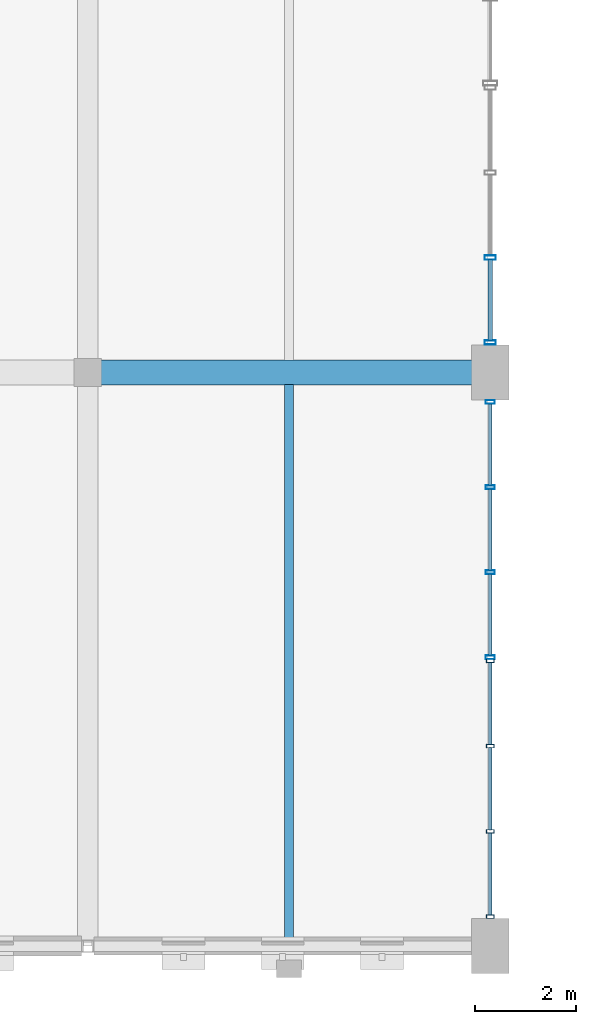
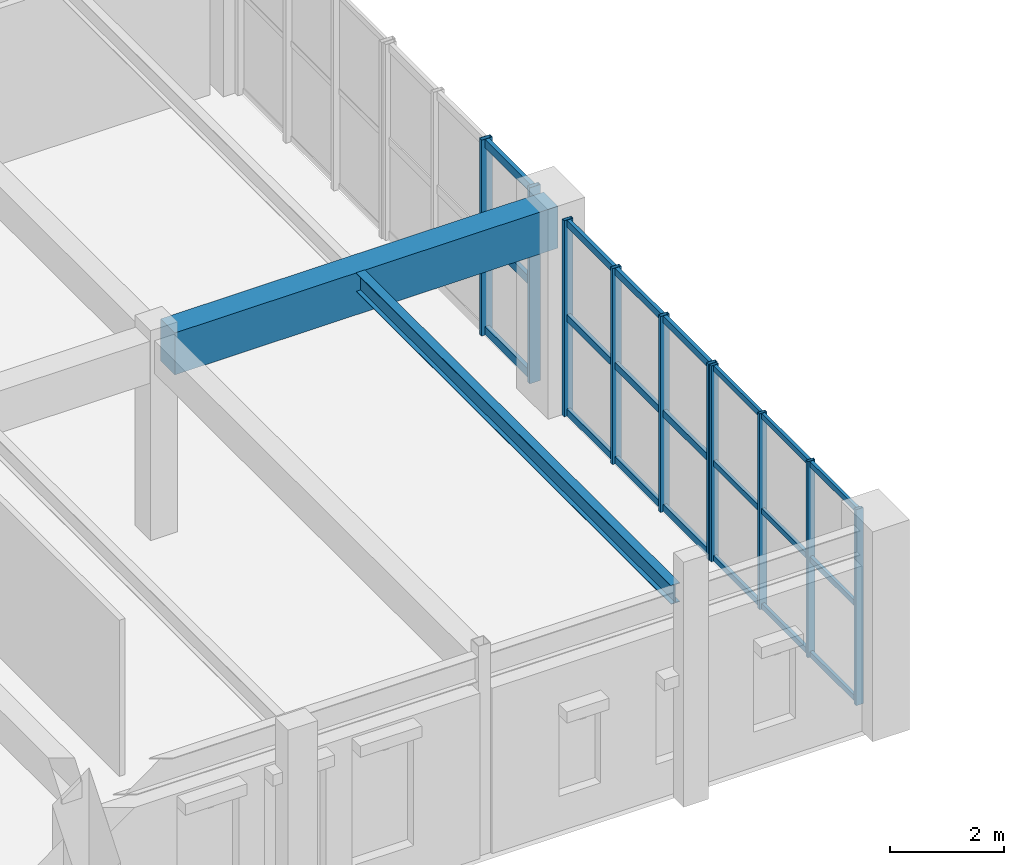
# One storey, part 6 of 48: 31 members, 2 beams, 3 elements without a shape of their own.
"""IFC4 building model written with IfcOpenShell, lengths in metres."""

from ifc_helpers import new_model, si_unit, direction, frame, origin, origin_2d, place, context, subcontext, project, spatial, rectangle, hollow_rectangle, i_section, extrude, material, layer, layer_set, material_profile, profile_set, type_object, element, aggregate, save


model = new_model("IFC4")

# Units and contexts
model_context = context("Model", 3, precision=1e-05, world=origin(), true_north=direction((0.0, 1.0)))
body_context = subcontext(model_context, "Body", "Model", "MODEL_VIEW")
ifc_project = project(units=[si_unit("LENGTHUNIT", "METRE"), si_unit("AREAUNIT", "SQUARE_METRE"), si_unit("VOLUMEUNIT", "CUBIC_METRE"), si_unit("PLANEANGLEUNIT", "RADIAN"), si_unit("MASSUNIT", "GRAM", prefix="KILO"), si_unit("POWERUNIT", "WATT"), si_unit("THERMODYNAMICTEMPERATUREUNIT", "KELVIN")], contexts=[model_context])

# Site, building, storey
site_placement = place(None, origin())
site = spatial("IfcSite", under=ifc_project, at=site_placement, CompositionType="ELEMENT")
building_placement = place(site_placement, origin())
building = spatial("IfcBuilding", under=site, at=building_placement, Name="Kelmbourne Parkland Aquatics Centre", CompositionType="ELEMENT")
storey_placement = place(building_placement, frame((0.0, 0.0, 14.699951171875)))
storey = spatial("IfcBuildingStorey", under=building, at=storey_placement, Name="L03", CompositionType="ELEMENT", Elevation=14.699951171875)

# Beams
ifc_material_1 = material(Name="Concrete C40/50", Category="concrete")
ifc_material_profile_1 = material_profile(ifc_material_1, rectangle(XDim=0.5, YDim=0.89990234375, at=origin_2d()), Name="RC 500x900")
ifc_profile_set_1 = profile_set([ifc_material_profile_1], Name="Concrete C40/50")
beam_type_1 = type_object("IfcBeamType", Name="BM-G03", PredefinedType="BEAM", material=ifc_profile_set_1)
beam_1_placement = place(storey_placement, frame((32.22998046875, 12.199951171875, 3.81005859375), z_axis=(1.0, 0.0, 0.0), x_axis=(0.0, 1.0, 0.0)))
element("IfcBeam", 1, at=beam_1_placement, inside=storey, type_object=beam_type_1, Name="Primary girder E-F Grid 03 (L04)", PredefinedType="BEAM", context=body_context, shape_type="SweptSolid", body=[
    extrude(rectangle(XDim=0.5, YDim=0.89990234375, at=origin_2d()), origin(), (0.0, 0.0, 1.0), 7.77001953125),
])
ifc_material_2 = material(Name="Structural steel AS/NZS 3679.1 Grade 300", Category="steel")
ifc_material_profile_2 = material_profile(ifc_material_2, i_section(OverallWidth=0.177978515625, OverallDepth=0.406005859375, WebThickness=0.0078125, FlangeThickness=0.0126953125, at=origin_2d()), Name="410UB59.7")
ifc_profile_set_2 = profile_set([ifc_material_profile_2], Name="Structural steel AS/NZS 3679.1 Grade 300")
beam_type_2 = type_object("IfcBeamType", Name="BM-J01", PredefinedType="JOIST", material=ifc_profile_set_2)
beam_2_placement = place(storey_placement, frame((36.0, 0.896484375, 4.05712890625), z_axis=(0.0, 1.0, 0.0), x_axis=(-1.0, 0.0, 0.0)))
element("IfcBeam", 2, at=beam_2_placement, inside=storey, type_object=beam_type_2, Name="Secondary floor joist E-F/01-03 #1 (L04)", PredefinedType="JOIST", context=body_context, shape_type="SweptSolid", body=[
    extrude(i_section(OverallWidth=0.177978515625, OverallDepth=0.406005859375, WebThickness=0.0078125, FlangeThickness=0.0126953125, at=origin_2d()), origin(), (0.0, 0.0, 1.0), 11.0615234375),
])

# Curtain wall, members
ifc_material_3 = material(Name="Thermally broken anodised aluminium framing", Category="aluminium")
ifc_layer_1 = layer(ifc_material_3, 0.179931640625)
ifc_layer_set_1 = layer_set([ifc_layer_1], Name="Thermally broken anodised aluminium framing")
curtain_wall_type_1 = type_object("IfcCurtainWallType", Name="CW-15", PredefinedType="NOTDEFINED", material=ifc_layer_set_1)
curtain_wall_1_placement = place(storey_placement, origin())
curtain_wall_1 = element("IfcCurtainWall", 3, at=curtain_wall_1_placement, inside=storey, type_object=curtain_wall_type_1, Name="Facade curtain wall CW-L03-255", PredefinedType="NOTDEFINED")
ifc_material_profile_3 = material_profile(ifc_material_3, hollow_rectangle(XDim=0.06494140625, YDim=0.14990234375, WallThickness=0.00390625, at=origin_2d()), Name="CW-M 65x150")
ifc_profile_set_3 = profile_set([ifc_material_profile_3], Name="Thermally broken anodised aluminium framing")
member_type_1 = type_object("IfcMemberType", Name="MB-MUL-1", PredefinedType="MULLION", material=ifc_profile_set_3)
member_1_placement = place(storey_placement, frame((40.0, 1.384521484375, 0.0), z_axis=(0.0, 0.0, 1.0), x_axis=(0.0, 1.0, 0.0)))
member_1 = element("IfcMember", 4, at=member_1_placement, type_object=member_type_1, Name="CW-L03-255 mullion 0", PredefinedType="MULLION", context=body_context, shape_type="SweptSolid", body=[
    extrude(hollow_rectangle(XDim=0.06494140625, YDim=0.14990234375, WallThickness=0.00390625, at=origin_2d()), origin(), (0.0, 0.0, 1.0), 4.199951171875),
])
member_2_placement = place(storey_placement, frame((40.0, 3.078857421875, 0.0), z_axis=(0.0, 0.0, 1.0), x_axis=(0.0, 1.0, 0.0)))
member_2 = element("IfcMember", 5, at=member_2_placement, type_object=member_type_1, Name="CW-L03-255 mullion 1", PredefinedType="MULLION", context=body_context, shape_type="SweptSolid", body=[
    extrude(hollow_rectangle(XDim=0.06494140625, YDim=0.14990234375, WallThickness=0.00390625, at=origin_2d()), origin(), (0.0, 0.0, 1.0), 4.199951171875),
])
member_3_placement = place(storey_placement, frame((40.0, 4.773193359375, 0.0), z_axis=(0.0, 0.0, 1.0), x_axis=(0.0, 1.0, 0.0)))
member_3 = element("IfcMember", 6, at=member_3_placement, type_object=member_type_1, Name="CW-L03-255 mullion 2", PredefinedType="MULLION", context=body_context, shape_type="SweptSolid", body=[
    extrude(hollow_rectangle(XDim=0.06494140625, YDim=0.14990234375, WallThickness=0.00390625, at=origin_2d()), origin(), (0.0, 0.0, 1.0), 4.199951171875),
])
member_4_placement = place(storey_placement, frame((40.0, 6.467529296875, 0.0), z_axis=(0.0, 0.0, 1.0), x_axis=(0.0, 1.0, 0.0)))
member_4 = element("IfcMember", 7, at=member_4_placement, type_object=member_type_1, Name="CW-L03-255 mullion 3", PredefinedType="MULLION", context=body_context, shape_type="SweptSolid", body=[
    extrude(hollow_rectangle(XDim=0.06494140625, YDim=0.14990234375, WallThickness=0.00390625, at=origin_2d()), origin(), (0.0, 0.0, 1.0), 4.199951171875),
])

ifc_layer_2 = layer(ifc_material_3, 0.179931640625)
ifc_layer_set_2 = layer_set([ifc_layer_2], Name="Thermally broken anodised aluminium framing")
curtain_wall_type_2 = type_object("IfcCurtainWallType", Name="CW-16", PredefinedType="NOTDEFINED", material=ifc_layer_set_2)
curtain_wall_2_placement = place(storey_placement, origin())
curtain_wall_2 = element("IfcCurtainWall", 8, at=curtain_wall_2_placement, inside=storey, type_object=curtain_wall_type_2, Name="Facade curtain wall CW-L03-256", PredefinedType="NOTDEFINED")
ifc_material_profile_4 = material_profile(ifc_material_3, hollow_rectangle(XDim=0.074951171875, YDim=0.179931640625, WallThickness=0.00439453125, at=origin_2d()), Name="CW-M 75x180")
ifc_profile_set_4 = profile_set([ifc_material_profile_4], Name="Thermally broken anodised aluminium framing")
member_type_2 = type_object("IfcMemberType", Name="MB-MUL-2", PredefinedType="MULLION", material=ifc_profile_set_4)
member_5_placement = place(storey_placement, frame((40.0, 6.53759765625, 0.0), z_axis=(0.0, 0.0, 1.0), x_axis=(0.0, 1.0, 0.0)))
member_5 = element("IfcMember", 9, at=member_5_placement, type_object=member_type_2, Name="CW-L03-256 mullion 0", PredefinedType="MULLION", context=body_context, shape_type="SweptSolid", body=[
    extrude(hollow_rectangle(XDim=0.074951171875, YDim=0.179931640625, WallThickness=0.00439453125, at=origin_2d()), origin(), (0.0, 0.0, 1.0), 4.199951171875),
])
member_6_placement = place(storey_placement, frame((40.0, 8.228515625, 0.0), z_axis=(0.0, 0.0, 1.0), x_axis=(0.0, 1.0, 0.0)))
member_6 = element("IfcMember", 10, at=member_6_placement, type_object=member_type_2, Name="CW-L03-256 mullion 1", PredefinedType="MULLION", context=body_context, shape_type="SweptSolid", body=[
    extrude(hollow_rectangle(XDim=0.074951171875, YDim=0.179931640625, WallThickness=0.00439453125, at=origin_2d()), origin(), (0.0, 0.0, 1.0), 4.199951171875),
])
member_7_placement = place(storey_placement, frame((40.0, 9.91943359375, 0.0), z_axis=(0.0, 0.0, 1.0), x_axis=(0.0, 1.0, 0.0)))
member_7 = element("IfcMember", 11, at=member_7_placement, type_object=member_type_2, Name="CW-L03-256 mullion 2", PredefinedType="MULLION", context=body_context, shape_type="SweptSolid", body=[
    extrude(hollow_rectangle(XDim=0.074951171875, YDim=0.179931640625, WallThickness=0.00439453125, at=origin_2d()), origin(), (0.0, 0.0, 1.0), 4.199951171875),
])
member_8_placement = place(storey_placement, frame((40.0, 11.610595703125, 0.0), z_axis=(0.0, 0.0, 1.0), x_axis=(0.0, 1.0, 0.0)))
member_8 = element("IfcMember", 12, at=member_8_placement, type_object=member_type_2, Name="CW-L03-256 mullion 3", PredefinedType="MULLION", context=body_context, shape_type="SweptSolid", body=[
    extrude(hollow_rectangle(XDim=0.074951171875, YDim=0.179931640625, WallThickness=0.00439453125, at=origin_2d()), origin(), (0.0, 0.0, 1.0), 4.199951171875),
])

ifc_layer_3 = layer(ifc_material_3, 0.179931640625)
ifc_layer_set_3 = layer_set([ifc_layer_3], Name="Thermally broken anodised aluminium framing")
curtain_wall_type_3 = type_object("IfcCurtainWallType", Name="CW-17", PredefinedType="NOTDEFINED", material=ifc_layer_set_3)
curtain_wall_3_placement = place(storey_placement, origin())
curtain_wall_3 = element("IfcCurtainWall", 13, at=curtain_wall_3_placement, inside=storey, type_object=curtain_wall_type_3, Name="Facade curtain wall CW-L03-257", PredefinedType="NOTDEFINED")
ifc_material_profile_5 = material_profile(ifc_material_3, hollow_rectangle(XDim=0.0849609375, YDim=0.219970703125, WallThickness=0.0048828125, at=origin_2d()), Name="CW-M 85x220")
ifc_profile_set_5 = profile_set([ifc_material_profile_5], Name="Thermally broken anodised aluminium framing")
member_type_3 = type_object("IfcMemberType", Name="MB-MUL-3", PredefinedType="MULLION", material=ifc_profile_set_5)
member_9_placement = place(storey_placement, frame((40.0, 12.79443359375, 0.0), z_axis=(0.0, 0.0, 1.0), x_axis=(0.0, 1.0, 0.0)))
member_9 = element("IfcMember", 14, at=member_9_placement, type_object=member_type_3, Name="CW-L03-257 mullion 0", PredefinedType="MULLION", context=body_context, shape_type="SweptSolid", body=[
    extrude(hollow_rectangle(XDim=0.0849609375, YDim=0.219970703125, WallThickness=0.0048828125, at=origin_2d()), origin(), (0.0, 0.0, 1.0), 4.199951171875),
])
member_10_placement = place(storey_placement, frame((40.0, 14.482177734375, 0.0), z_axis=(0.0, 0.0, 1.0), x_axis=(0.0, 1.0, 0.0)))
member_10 = element("IfcMember", 15, at=member_10_placement, type_object=member_type_3, Name="CW-L03-257 mullion 1", PredefinedType="MULLION", context=body_context, shape_type="SweptSolid", body=[
    extrude(hollow_rectangle(XDim=0.0849609375, YDim=0.219970703125, WallThickness=0.0048828125, at=origin_2d()), origin(), (0.0, 0.0, 1.0), 4.199951171875),
])

# Member
ifc_material_profile_6 = material_profile(ifc_material_3, hollow_rectangle(XDim=0.06494140625, YDim=0.1201171875, WallThickness=0.00341796875, at=origin_2d()), Name="CW-T 65x120")
ifc_profile_set_6 = profile_set([ifc_material_profile_6], Name="Thermally broken anodised aluminium framing")
member_type_4 = type_object("IfcMemberType", Name="MB-TRN-1", PredefinedType="USERDEFINED", material=ifc_profile_set_6)
member_11_placement = place(storey_placement, frame((40.0, 1.4130859375, 0.06298828125), z_axis=(0.0, 1.0, 0.0), x_axis=(-1.0, 0.0, 0.0)))
member_11 = element("IfcMember", 16, at=member_11_placement, type_object=member_type_4, Name="CW-L03-255 transom 0-0", ObjectType="TRANSOM", PredefinedType="USERDEFINED", context=body_context, shape_type="SweptSolid", body=[
    extrude(hollow_rectangle(XDim=0.06494140625, YDim=0.1201171875, WallThickness=0.00341796875, at=origin_2d()), origin(), (0.0, 0.0, 1.0), 1.63720703125),
])

member_12_placement = place(storey_placement, frame((40.0, 3.107421875, 0.06298828125), z_axis=(0.0, 1.0, 0.0), x_axis=(-1.0, 0.0, 0.0)))
member_12 = element("IfcMember", 17, at=member_12_placement, type_object=member_type_4, Name="CW-L03-255 transom 0-1", ObjectType="TRANSOM", PredefinedType="USERDEFINED", context=body_context, shape_type="SweptSolid", body=[
    extrude(hollow_rectangle(XDim=0.06494140625, YDim=0.1201171875, WallThickness=0.00341796875, at=origin_2d()), origin(), (0.0, 0.0, 1.0), 1.63720703125),
])

member_13_placement = place(storey_placement, frame((40.0, 4.8017578125, 0.06298828125), z_axis=(0.0, 1.0, 0.0), x_axis=(-1.0, 0.0, 0.0)))
member_13 = element("IfcMember", 18, at=member_13_placement, type_object=member_type_4, Name="CW-L03-255 transom 0-2", ObjectType="TRANSOM", PredefinedType="USERDEFINED", context=body_context, shape_type="SweptSolid", body=[
    extrude(hollow_rectangle(XDim=0.06494140625, YDim=0.1201171875, WallThickness=0.00341796875, at=origin_2d()), origin(), (0.0, 0.0, 1.0), 1.63720703125),
])

member_14_placement = place(storey_placement, frame((40.0, 1.4130859375, 2.10009765625), z_axis=(0.0, 1.0, 0.0), x_axis=(-1.0, 0.0, 0.0)))
member_14 = element("IfcMember", 19, at=member_14_placement, type_object=member_type_4, Name="CW-L03-255 transom 1-0", ObjectType="TRANSOM", PredefinedType="USERDEFINED", context=body_context, shape_type="SweptSolid", body=[
    extrude(hollow_rectangle(XDim=0.06494140625, YDim=0.1201171875, WallThickness=0.00341796875, at=origin_2d()), origin(), (0.0, 0.0, 1.0), 1.63720703125),
])

member_15_placement = place(storey_placement, frame((40.0, 3.107421875, 2.10009765625), z_axis=(0.0, 1.0, 0.0), x_axis=(-1.0, 0.0, 0.0)))
member_15 = element("IfcMember", 20, at=member_15_placement, type_object=member_type_4, Name="CW-L03-255 transom 1-1", ObjectType="TRANSOM", PredefinedType="USERDEFINED", context=body_context, shape_type="SweptSolid", body=[
    extrude(hollow_rectangle(XDim=0.06494140625, YDim=0.1201171875, WallThickness=0.00341796875, at=origin_2d()), origin(), (0.0, 0.0, 1.0), 1.63720703125),
])

member_16_placement = place(storey_placement, frame((40.0, 4.8017578125, 2.10009765625), z_axis=(0.0, 1.0, 0.0), x_axis=(-1.0, 0.0, 0.0)))
member_16 = element("IfcMember", 21, at=member_16_placement, type_object=member_type_4, Name="CW-L03-255 transom 1-2", ObjectType="TRANSOM", PredefinedType="USERDEFINED", context=body_context, shape_type="SweptSolid", body=[
    extrude(hollow_rectangle(XDim=0.06494140625, YDim=0.1201171875, WallThickness=0.00341796875, at=origin_2d()), origin(), (0.0, 0.0, 1.0), 1.63720703125),
])

member_17_placement = place(storey_placement, frame((40.0, 1.4130859375, 4.136962890625), z_axis=(0.0, 1.0, 0.0), x_axis=(-1.0, 0.0, 0.0)))
member_17 = element("IfcMember", 22, at=member_17_placement, type_object=member_type_4, Name="CW-L03-255 transom 2-0", ObjectType="TRANSOM", PredefinedType="USERDEFINED", context=body_context, shape_type="SweptSolid", body=[
    extrude(hollow_rectangle(XDim=0.06494140625, YDim=0.1201171875, WallThickness=0.00341796875, at=origin_2d()), origin(), (0.0, 0.0, 1.0), 1.63720703125),
])

member_18_placement = place(storey_placement, frame((40.0, 3.107421875, 4.136962890625), z_axis=(0.0, 1.0, 0.0), x_axis=(-1.0, 0.0, 0.0)))
member_18 = element("IfcMember", 23, at=member_18_placement, type_object=member_type_4, Name="CW-L03-255 transom 2-1", ObjectType="TRANSOM", PredefinedType="USERDEFINED", context=body_context, shape_type="SweptSolid", body=[
    extrude(hollow_rectangle(XDim=0.06494140625, YDim=0.1201171875, WallThickness=0.00341796875, at=origin_2d()), origin(), (0.0, 0.0, 1.0), 1.63720703125),
])

member_19_placement = place(storey_placement, frame((40.0, 4.8017578125, 4.136962890625), z_axis=(0.0, 1.0, 0.0), x_axis=(-1.0, 0.0, 0.0)))
member_19 = element("IfcMember", 24, at=member_19_placement, type_object=member_type_4, Name="CW-L03-255 transom 2-2", ObjectType="TRANSOM", PredefinedType="USERDEFINED", context=body_context, shape_type="SweptSolid", body=[
    extrude(hollow_rectangle(XDim=0.06494140625, YDim=0.1201171875, WallThickness=0.00341796875, at=origin_2d()), origin(), (0.0, 0.0, 1.0), 1.63720703125),
])

aggregate(curtain_wall_1, [member_1, member_2, member_3, member_4, member_11, member_12, member_13, member_14, member_15, member_16, member_17, member_18, member_19])

ifc_material_profile_7 = material_profile(ifc_material_3, hollow_rectangle(XDim=0.074951171875, YDim=0.14990234375, WallThickness=0.00390625, at=origin_2d()), Name="CW-T 75x150")
ifc_profile_set_7 = profile_set([ifc_material_profile_7], Name="Thermally broken anodised aluminium framing")
member_type_5 = type_object("IfcMemberType", Name="MB-TRN-2", PredefinedType="USERDEFINED", material=ifc_profile_set_7)
member_20_placement = place(storey_placement, frame((40.0, 6.571044921875, 0.078125), z_axis=(0.0, 1.0, 0.0), x_axis=(-1.0, 0.0, 0.0)))
member_20 = element("IfcMember", 25, at=member_20_placement, type_object=member_type_5, Name="CW-L03-256 transom 0-0", ObjectType="TRANSOM", PredefinedType="USERDEFINED", context=body_context, shape_type="SweptSolid", body=[
    extrude(hollow_rectangle(XDim=0.074951171875, YDim=0.14990234375, WallThickness=0.00390625, at=origin_2d()), origin(), (0.0, 0.0, 1.0), 1.6240234375),
])

member_21_placement = place(storey_placement, frame((40.0, 8.261962890625, 0.078125), z_axis=(0.0, 1.0, 0.0), x_axis=(-1.0, 0.0, 0.0)))
member_21 = element("IfcMember", 26, at=member_21_placement, type_object=member_type_5, Name="CW-L03-256 transom 0-1", ObjectType="TRANSOM", PredefinedType="USERDEFINED", context=body_context, shape_type="SweptSolid", body=[
    extrude(hollow_rectangle(XDim=0.074951171875, YDim=0.14990234375, WallThickness=0.00390625, at=origin_2d()), origin(), (0.0, 0.0, 1.0), 1.6240234375),
])

member_22_placement = place(storey_placement, frame((40.0, 9.952880859375, 0.078125), z_axis=(0.0, 1.0, 0.0), x_axis=(-1.0, 0.0, 0.0)))
member_22 = element("IfcMember", 27, at=member_22_placement, type_object=member_type_5, Name="CW-L03-256 transom 0-2", ObjectType="TRANSOM", PredefinedType="USERDEFINED", context=body_context, shape_type="SweptSolid", body=[
    extrude(hollow_rectangle(XDim=0.074951171875, YDim=0.14990234375, WallThickness=0.00390625, at=origin_2d()), origin(), (0.0, 0.0, 1.0), 1.6240234375),
])

member_23_placement = place(storey_placement, frame((40.0, 6.571044921875, 2.10009765625), z_axis=(0.0, 1.0, 0.0), x_axis=(-1.0, 0.0, 0.0)))
member_23 = element("IfcMember", 28, at=member_23_placement, type_object=member_type_5, Name="CW-L03-256 transom 1-0", ObjectType="TRANSOM", PredefinedType="USERDEFINED", context=body_context, shape_type="SweptSolid", body=[
    extrude(hollow_rectangle(XDim=0.074951171875, YDim=0.14990234375, WallThickness=0.00390625, at=origin_2d()), origin(), (0.0, 0.0, 1.0), 1.6240234375),
])

member_24_placement = place(storey_placement, frame((40.0, 8.261962890625, 2.10009765625), z_axis=(0.0, 1.0, 0.0), x_axis=(-1.0, 0.0, 0.0)))
member_24 = element("IfcMember", 29, at=member_24_placement, type_object=member_type_5, Name="CW-L03-256 transom 1-1", ObjectType="TRANSOM", PredefinedType="USERDEFINED", context=body_context, shape_type="SweptSolid", body=[
    extrude(hollow_rectangle(XDim=0.074951171875, YDim=0.14990234375, WallThickness=0.00390625, at=origin_2d()), origin(), (0.0, 0.0, 1.0), 1.6240234375),
])

member_25_placement = place(storey_placement, frame((40.0, 9.952880859375, 2.10009765625), z_axis=(0.0, 1.0, 0.0), x_axis=(-1.0, 0.0, 0.0)))
member_25 = element("IfcMember", 30, at=member_25_placement, type_object=member_type_5, Name="CW-L03-256 transom 1-2", ObjectType="TRANSOM", PredefinedType="USERDEFINED", context=body_context, shape_type="SweptSolid", body=[
    extrude(hollow_rectangle(XDim=0.074951171875, YDim=0.14990234375, WallThickness=0.00390625, at=origin_2d()), origin(), (0.0, 0.0, 1.0), 1.6240234375),
])

member_26_placement = place(storey_placement, frame((40.0, 6.571044921875, 4.1220703125), z_axis=(0.0, 1.0, 0.0), x_axis=(-1.0, 0.0, 0.0)))
member_26 = element("IfcMember", 31, at=member_26_placement, type_object=member_type_5, Name="CW-L03-256 transom 2-0", ObjectType="TRANSOM", PredefinedType="USERDEFINED", context=body_context, shape_type="SweptSolid", body=[
    extrude(hollow_rectangle(XDim=0.074951171875, YDim=0.14990234375, WallThickness=0.00390625, at=origin_2d()), origin(), (0.0, 0.0, 1.0), 1.6240234375),
])

member_27_placement = place(storey_placement, frame((40.0, 8.261962890625, 4.1220703125), z_axis=(0.0, 1.0, 0.0), x_axis=(-1.0, 0.0, 0.0)))
member_27 = element("IfcMember", 32, at=member_27_placement, type_object=member_type_5, Name="CW-L03-256 transom 2-1", ObjectType="TRANSOM", PredefinedType="USERDEFINED", context=body_context, shape_type="SweptSolid", body=[
    extrude(hollow_rectangle(XDim=0.074951171875, YDim=0.14990234375, WallThickness=0.00390625, at=origin_2d()), origin(), (0.0, 0.0, 1.0), 1.6240234375),
])

member_28_placement = place(storey_placement, frame((40.0, 9.952880859375, 4.1220703125), z_axis=(0.0, 1.0, 0.0), x_axis=(-1.0, 0.0, 0.0)))
member_28 = element("IfcMember", 33, at=member_28_placement, type_object=member_type_5, Name="CW-L03-256 transom 2-2", ObjectType="TRANSOM", PredefinedType="USERDEFINED", context=body_context, shape_type="SweptSolid", body=[
    extrude(hollow_rectangle(XDim=0.074951171875, YDim=0.14990234375, WallThickness=0.00390625, at=origin_2d()), origin(), (0.0, 0.0, 1.0), 1.6240234375),
])

aggregate(curtain_wall_2, [member_5, member_6, member_7, member_8, member_20, member_21, member_22, member_23, member_24, member_25, member_26, member_27, member_28])

ifc_material_profile_8 = material_profile(ifc_material_3, hollow_rectangle(XDim=0.0849609375, YDim=0.179931640625, WallThickness=0.00439453125, at=origin_2d()), Name="CW-T 85x180")
ifc_profile_set_8 = profile_set([ifc_material_profile_8], Name="Thermally broken anodised aluminium framing")
member_type_6 = type_object("IfcMemberType", Name="MB-TRN-3", PredefinedType="USERDEFINED", material=ifc_profile_set_8)
member_29_placement = place(storey_placement, frame((40.0, 12.8330078125, 0.093017578125), z_axis=(0.0, 1.0, 0.0), x_axis=(-1.0, 0.0, 0.0)))
member_29 = element("IfcMember", 34, at=member_29_placement, type_object=member_type_6, Name="CW-L03-257 transom 0-0", ObjectType="TRANSOM", PredefinedType="USERDEFINED", context=body_context, shape_type="SweptSolid", body=[
    extrude(hollow_rectangle(XDim=0.0849609375, YDim=0.179931640625, WallThickness=0.00439453125, at=origin_2d()), origin(), (0.0, 0.0, 1.0), 1.610595703125),
])

member_30_placement = place(storey_placement, frame((40.0, 12.8330078125, 2.10009765625), z_axis=(0.0, 1.0, 0.0), x_axis=(-1.0, 0.0, 0.0)))
member_30 = element("IfcMember", 35, at=member_30_placement, type_object=member_type_6, Name="CW-L03-257 transom 1-0", ObjectType="TRANSOM", PredefinedType="USERDEFINED", context=body_context, shape_type="SweptSolid", body=[
    extrude(hollow_rectangle(XDim=0.0849609375, YDim=0.179931640625, WallThickness=0.00439453125, at=origin_2d()), origin(), (0.0, 0.0, 1.0), 1.610595703125),
])

member_31_placement = place(storey_placement, frame((40.0, 12.8330078125, 4.10693359375), z_axis=(0.0, 1.0, 0.0), x_axis=(-1.0, 0.0, 0.0)))
member_31 = element("IfcMember", 36, at=member_31_placement, type_object=member_type_6, Name="CW-L03-257 transom 2-0", ObjectType="TRANSOM", PredefinedType="USERDEFINED", context=body_context, shape_type="SweptSolid", body=[
    extrude(hollow_rectangle(XDim=0.0849609375, YDim=0.179931640625, WallThickness=0.00439453125, at=origin_2d()), origin(), (0.0, 0.0, 1.0), 1.610595703125),
])

aggregate(curtain_wall_3, [member_9, member_10, member_29, member_30, member_31])

save(model, "model.ifc")
